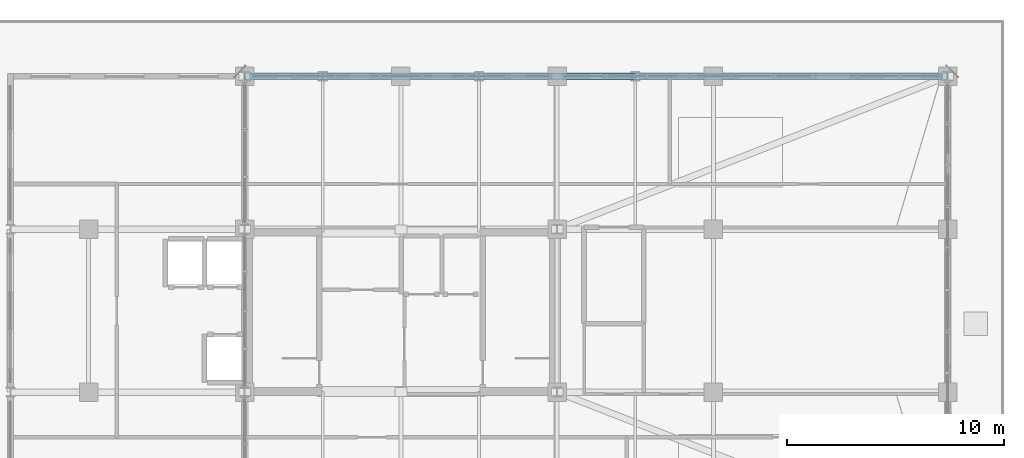
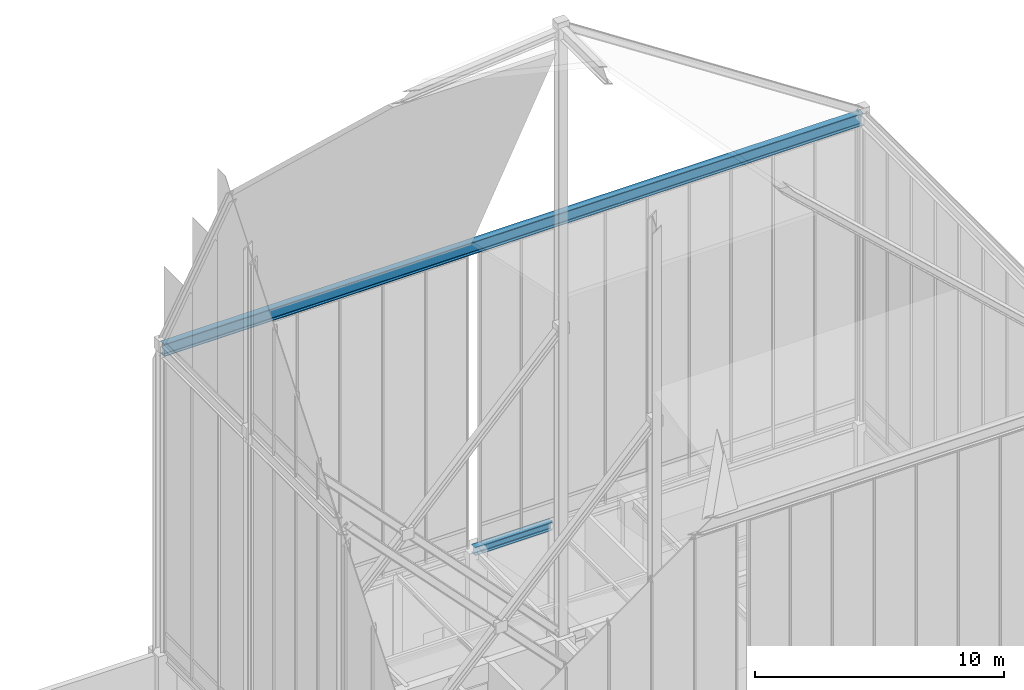
# One storey, part 26 of 49: 2 beams.
"""IFC4 building model written with IfcOpenShell, lengths in metres."""

from ifc_helpers import new_model, si_unit, direction, frame, origin, origin_2d, place, context, subcontext, project, spatial, i_section, extrude, source, transform, mapped, material, material_profile, profile_set, type_object, element, save


model = new_model("IFC4")

# Units and contexts
model_context = context("Model", 3, precision=1e-05, world=origin(), true_north=direction((0.0, 1.0)))
body_context = subcontext(model_context, "Body", "Model", "MODEL_VIEW")
ifc_project = project(units=[si_unit("LENGTHUNIT", "METRE"), si_unit("AREAUNIT", "SQUARE_METRE"), si_unit("VOLUMEUNIT", "CUBIC_METRE"), si_unit("PLANEANGLEUNIT", "RADIAN"), si_unit("MASSUNIT", "GRAM", prefix="KILO")], contexts=[model_context])

# Site, building, storey
site_placement = place(None, origin())
site = spatial("IfcSite", under=ifc_project, at=site_placement, CompositionType="ELEMENT")
building_placement = place(site_placement, origin())
building = spatial("IfcBuilding", under=site, at=building_placement, Name="Kaliganga Portal Commons", CompositionType="ELEMENT")
storey_placement = place(building_placement, frame((0.0, 0.0, 298.0)))
storey = spatial("IfcBuildingStorey", under=building, at=storey_placement, Name="L77", CompositionType="ELEMENT", Elevation=298.0)

# Beams
ifc_material_1 = material(Name="Structural steel S355J2", Category="steel")
ifc_material_profile_1 = material_profile(ifc_material_1, i_section(OverallWidth=0.300048828125, OverallDepth=0.39990234375, WebThickness=0.013427734375, FlangeThickness=0.02392578125, FilletRadius=0.027099609375, at=origin_2d()), Name="HE 400 B")
ifc_profile_set_1 = profile_set([ifc_material_profile_1], Name="Structural steel S355J2 wide-flange")
beam_type_1 = type_object("IfcBeamType", Name="BM-SPAND-400", PredefinedType="SPANDREL", material=ifc_profile_set_1)
shared_shape_1 = source(origin(), body_context, "Body", "SweptSolid", [
    extrude(i_section(OverallWidth=0.300048828125, OverallDepth=0.39990234375, WebThickness=0.013427734375, FlangeThickness=0.02392578125, FilletRadius=0.027099609375, at=origin_2d()), origin(), (0.0, 0.0, 1.0), 3.599853515625),
])
beam_1_placement = place(storey_placement, frame((28.800048828125, 43.199951171875, 5.800048828125), z_axis=(1.0, 0.0, 0.0), x_axis=(0.0, 1.0, 0.0)))
element("IfcBeam", 1, at=beam_1_placement, inside=storey, type_object=beam_type_1, Name="BM SP L77 AN 5", PredefinedType="SPANDREL", context=body_context, shape_type="MappedRepresentation", body=[
    mapped(shared_shape_1, transform((0.0, 0.0, 0.0), x_axis=(1.0, 0.0, 0.0), y_axis=(0.0, 1.0, 0.0), z_axis=(0.0, 0.0, 1.0), scale=1.0)),
])
ifc_material_2 = material(Name="Structural steel S460M", Category="steel")
ifc_material_profile_2 = material_profile(ifc_material_2, i_section(OverallWidth=0.300048828125, OverallDepth=0.60009765625, WebThickness=0.015380859375, FlangeThickness=0.030029296875, FilletRadius=0.027099609375, at=origin_2d()), Name="HE 600 B")
ifc_profile_set_2 = profile_set([ifc_material_profile_2], Name="Structural steel S460M wide-flange")
beam_type_2 = type_object("IfcBeamType", Name="BM-CROWN-RING", PredefinedType="USERDEFINED", material=ifc_profile_set_2)
shared_shape_2 = source(origin(), body_context, "Body", "SweptSolid", [
    extrude(i_section(OverallWidth=0.300048828125, OverallDepth=0.60009765625, WebThickness=0.015380859375, FlangeThickness=0.030029296875, FilletRadius=0.027099609375, at=origin_2d()), origin(), (0.0, 0.0, 1.0), 32.400146484375),
])
beam_2_placement = place(storey_placement, frame((46.800048828125, 43.199951171875, 20.699951171875), z_axis=(-1.0, 0.0, 0.0), x_axis=(0.0, -1.0, 0.0)))
element("IfcBeam", 2, at=beam_2_placement, inside=storey, type_object=beam_type_2, Name="BM CROWN MID N", ObjectType="CROWN FRAME", PredefinedType="USERDEFINED", context=body_context, shape_type="MappedRepresentation", body=[
    mapped(shared_shape_2, transform((0.0, 0.0, 0.0), x_axis=(1.0, 0.0, 0.0), y_axis=(0.0, 1.0, 0.0), z_axis=(0.0, 0.0, 1.0), scale=1.0)),
])

save(model, "model.ifc")
